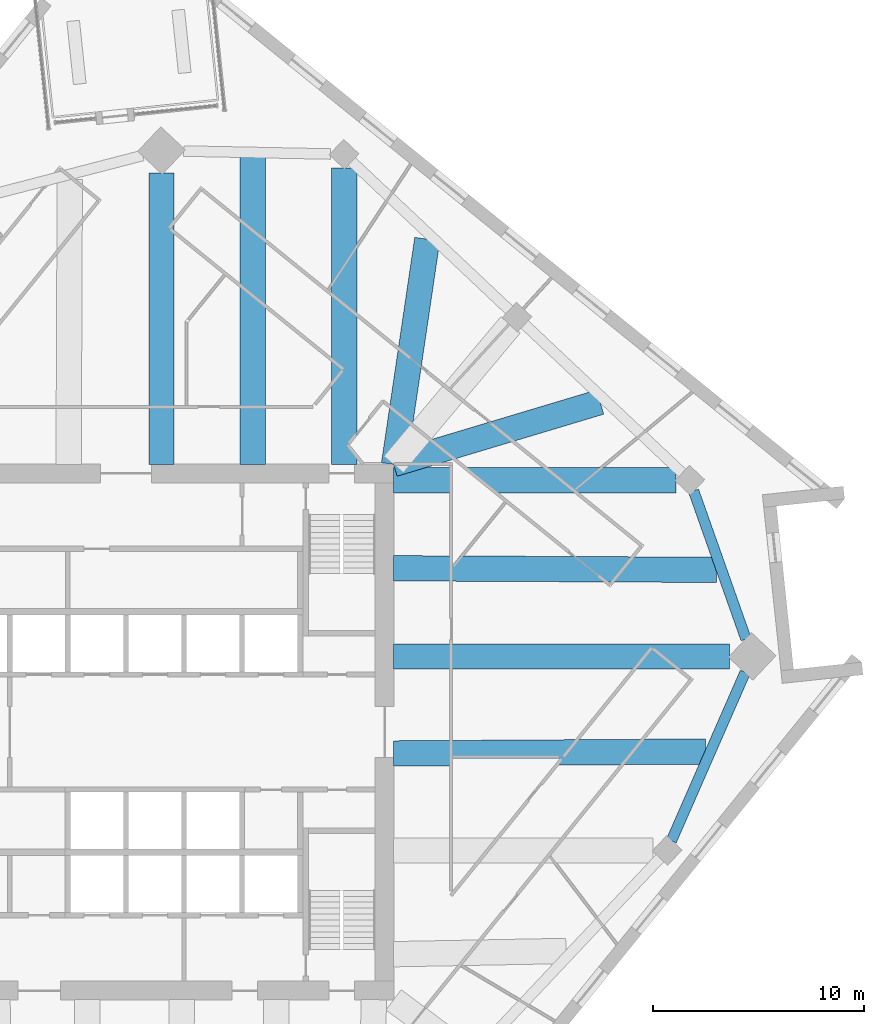
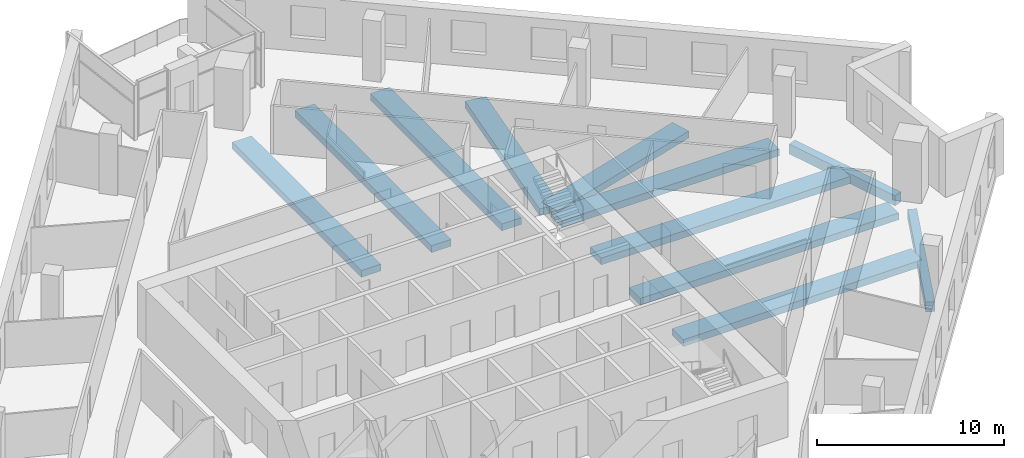
# One storey, part 3 of 14: 11 beams.
"""IFC4 building model written with IfcOpenShell, lengths in metres."""

from ifc_helpers import new_model, si_unit, direction, frame, origin, origin_2d, place, context, subcontext, project, spatial, rectangle, extrude, material, material_profile, profile_set, type_object, element, save


model = new_model("IFC4")

# Units and contexts
model_context = context("Model", 3, precision=1e-05, world=origin(), true_north=direction((0.0, 1.0)))
body_context = subcontext(model_context, "Body", "Model", "MODEL_VIEW")
ifc_project = project(units=[si_unit("LENGTHUNIT", "METRE"), si_unit("AREAUNIT", "SQUARE_METRE"), si_unit("VOLUMEUNIT", "CUBIC_METRE"), si_unit("PLANEANGLEUNIT", "RADIAN"), si_unit("MASSUNIT", "GRAM", prefix="KILO")], contexts=[model_context])

# Site, building, storey
site_placement = place(None, origin())
site = spatial("IfcSite", under=ifc_project, at=site_placement, CompositionType="ELEMENT")
building_placement = place(site_placement, origin())
building = spatial("IfcBuilding", under=site, at=building_placement, Name="Dilmun Exchange Tower", CompositionType="ELEMENT")
storey_placement = place(building_placement, frame((0.0, 0.0, 233.300048828125)))
storey = spatial("IfcBuildingStorey", under=building, at=storey_placement, Name="L55", CompositionType="ELEMENT", Elevation=233.300048828125)

# Beams
ifc_material = material(Name="Concrete C40/50", Category="concrete")
ifc_material_profile_1 = material_profile(ifc_material, rectangle(XDim=1.199951171875, YDim=0.449951171875, at=origin_2d()), Name="1200 x 450")
ifc_profile_set_1 = profile_set([ifc_material_profile_1], Name="Concrete C40/50")
beam_type_1 = type_object("IfcBeamType", Name="RC band beam 1200 x 450 C40/50", PredefinedType="BEAM", material=ifc_profile_set_1)
beam_1_placement = place(storey_placement, frame((1.68505859375, 26.465576171875, -0.705078125), z_axis=(0.0, -1.0, 0.0), x_axis=(1.0, 0.0, 0.0)))
element("IfcBeam", 1, at=beam_1_placement, inside=storey, type_object=beam_type_1, Name="Band beam 1", PredefinedType="BEAM", context=body_context, shape_type="SweptSolid", body=[
    extrude(rectangle(XDim=1.199951171875, YDim=0.449951171875, at=origin_2d()), origin(), (0.0, 0.0, 1.0), 13.79248046875),
])
beam_2_placement = place(storey_placement, frame((28.586669921875, 3.58203125, -0.705078125), z_axis=(-1.0, 0.0, 0.0), x_axis=(0.0, -1.0, 0.0)))
element("IfcBeam", 2, at=beam_2_placement, inside=storey, type_object=beam_type_1, Name="Band beam 13", PredefinedType="BEAM", context=body_context, shape_type="SweptSolid", body=[
    extrude(rectangle(XDim=1.199951171875, YDim=0.449951171875, at=origin_2d()), origin(), (0.0, 0.0, 1.0), 15.91357421875),
])
beam_3_placement = place(storey_placement, frame((26.0458984375, 11.930908203125, -0.705078125), z_axis=(-1.0, 0.0, 0.0), x_axis=(0.0, -1.0, 0.0)))
element("IfcBeam", 3, at=beam_3_placement, inside=storey, type_object=beam_type_1, Name="Band beam 14", PredefinedType="BEAM", context=body_context, shape_type="SweptSolid", body=[
    extrude(rectangle(XDim=1.199951171875, YDim=0.449951171875, at=origin_2d()), origin(), (0.0, 0.0, 1.0), 13.372802734375),
])
beam_4_placement = place(storey_placement, frame((10.3330078125, 26.703857421875, -0.705078125), z_axis=(0.0, -1.0, 0.0), x_axis=(1.0, 0.0, 0.0)))
element("IfcBeam", 4, at=beam_4_placement, inside=storey, type_object=beam_type_1, Name="Band beam 16", PredefinedType="BEAM", context=body_context, shape_type="SweptSolid", body=[
    extrude(rectangle(XDim=1.199951171875, YDim=0.449951171875, at=origin_2d()), origin(), (0.0, 0.0, 1.0), 14.03076171875),
])
beam_5_placement = place(storey_placement, frame((27.441650390625, -0.924072265625, -0.60498046875), z_axis=(-0.999981696912, -0.006050276087, 0.0), x_axis=(0.006050276087, -0.999981696912, 0.0)))
element("IfcBeam", 5, at=beam_5_placement, inside=storey, type_object=beam_type_1, Name="Band beam 28", PredefinedType="BEAM", context=body_context, shape_type="SweptSolid", body=[
    extrude(rectangle(XDim=1.199951171875, YDim=0.449951171875, at=origin_2d()), origin(), (0.0, 0.0, 1.0), 14.768798828125),
])
beam_6_placement = place(storey_placement, frame((27.972412109375, 7.68212890625, -0.60498046875), z_axis=(-0.99998815601, 0.004867015408, 0.0), x_axis=(-0.004867015408, -0.99998815601, 0.0)))
element("IfcBeam", 6, at=beam_6_placement, inside=storey, type_object=beam_type_1, Name="Band beam 29", PredefinedType="BEAM", context=body_context, shape_type="SweptSolid", body=[
    extrude(rectangle(XDim=1.199951171875, YDim=0.449951171875, at=origin_2d()), origin(), (0.0, 0.0, 1.0), 15.299560546875),
])
beam_7_placement = place(storey_placement, frame((22.4599609375, 15.626708984375, -0.60498046875), z_axis=(-0.957849959988, -0.287268957862, 0.0), x_axis=(0.287268957862, -0.957849959988, 0.0)))
element("IfcBeam", 7, at=beam_7_placement, inside=storey, type_object=beam_type_1, Name="Band beam 30", PredefinedType="BEAM", context=body_context, shape_type="SweptSolid", body=[
    extrude(rectangle(XDim=1.199951171875, YDim=0.449951171875, at=origin_2d()), origin(), (0.0, 0.0, 1.0), 10.21630859375),
])
beam_8_placement = place(storey_placement, frame((14.2734375, 23.34326171875, -0.60498046875), z_axis=(-0.146268101323, -0.989244986106, 0.0), x_axis=(0.989244986106, -0.146268101323, 0.0)))
element("IfcBeam", 8, at=beam_8_placement, inside=storey, type_object=beam_type_1, Name="Band beam 31", PredefinedType="BEAM", context=body_context, shape_type="SweptSolid", body=[
    extrude(rectangle(XDim=1.199951171875, YDim=0.449951171875, at=origin_2d()), origin(), (0.0, 0.0, 1.0), 10.785888671875),
])
beam_9_placement = place(storey_placement, frame((6.00439453125, 27.22802734375, -0.60498046875), z_axis=(0.000318701025, -0.999999949215, 0.0), x_axis=(0.999999949215, 0.000318701025, 0.0)))
element("IfcBeam", 9, at=beam_9_placement, inside=storey, type_object=beam_type_1, Name="Band beam 32", PredefinedType="BEAM", context=body_context, shape_type="SweptSolid", body=[
    extrude(rectangle(XDim=1.199951171875, YDim=0.449951171875, at=origin_2d()), origin(), (0.0, 0.0, 1.0), 14.554931640625),
])
ifc_material_profile_2 = material_profile(ifc_material, rectangle(XDim=0.5, YDim=0.64990234375, at=origin_2d()), Name="500 x 650")
ifc_profile_set_2 = profile_set([ifc_material_profile_2], Name="Concrete C40/50")
beam_type_2 = type_object("IfcBeamType", Name="RC ring beam 500 x 650 C40/50", PredefinedType="SPANDREL", material=ifc_profile_set_2)
beam_10_placement = place(storey_placement, frame((25.835205078125, -5.1474609375, -0.705078125), z_axis=(0.401239440722, 0.915973204416, 0.0), x_axis=(-0.915973204416, 0.401239440722, 0.0)))
element("IfcBeam", 10, at=beam_10_placement, inside=storey, type_object=beam_type_2, Name="Ring beam 12", PredefinedType="SPANDREL", context=body_context, shape_type="SweptSolid", body=[
    extrude(rectangle(XDim=0.5, YDim=0.64990234375, at=origin_2d()), origin(), (0.0, 0.0, 1.0), 8.707763671875),
])
beam_11_placement = place(storey_placement, frame((29.367919921875, 4.404541015625, -0.705078125), z_axis=(-0.333423578623, 0.942777130195, 0.0), x_axis=(-0.942777130195, -0.333423578623, 0.0)))
element("IfcBeam", 11, at=beam_11_placement, inside=storey, type_object=beam_type_2, Name="Ring beam 13", PredefinedType="SPANDREL", context=body_context, shape_type="SweptSolid", body=[
    extrude(rectangle(XDim=0.5, YDim=0.64990234375, at=origin_2d()), origin(), (0.0, 0.0, 1.0), 7.4482421875),
])

save(model, "model.ifc")
